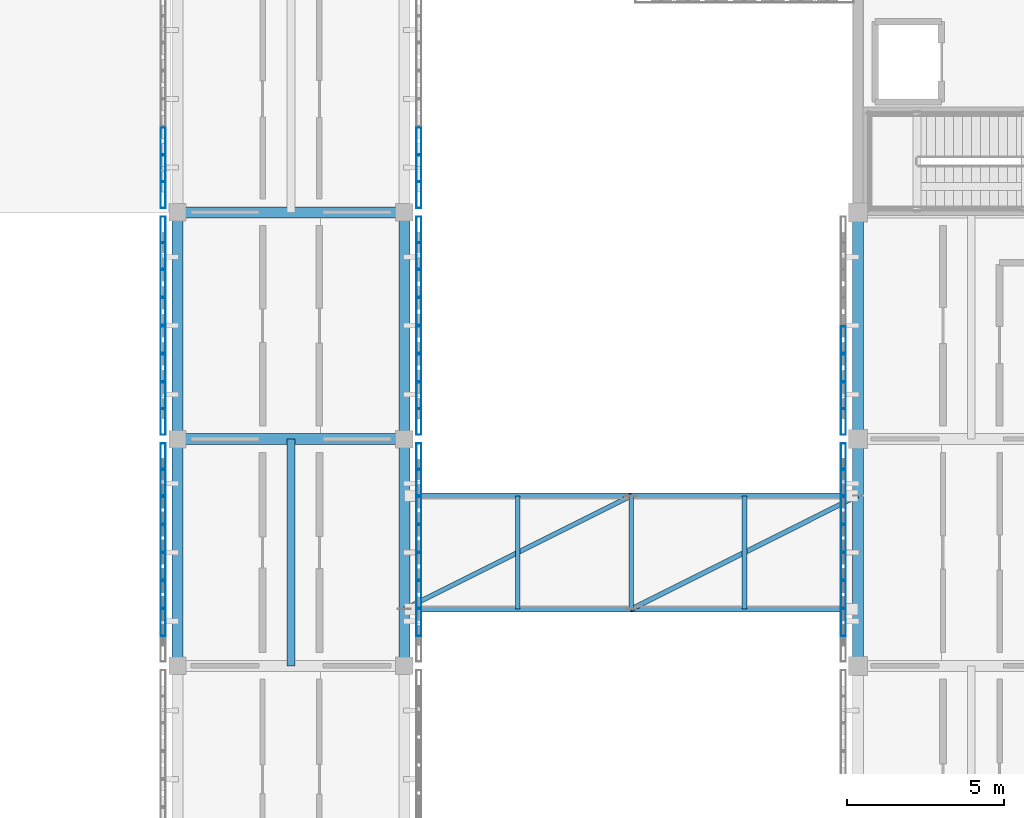
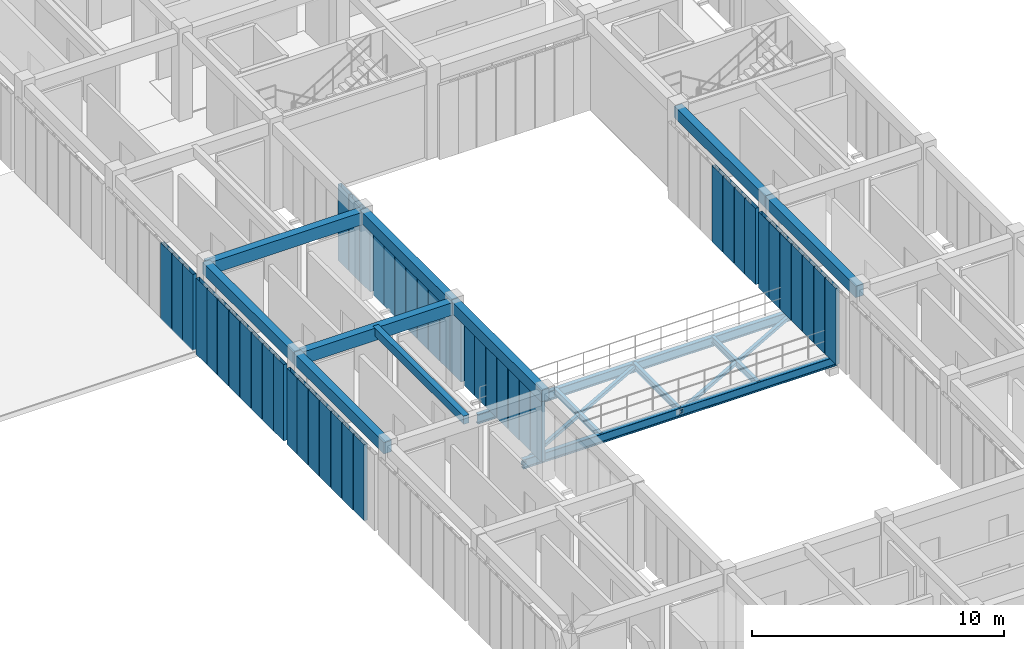
# One storey, part 13 of 91: 49 members, 16 beams, 8 elements without a shape of their own.
"""IFC4 building model written with IfcOpenShell, lengths in metres."""

from ifc_helpers import new_model, si_unit, direction, frame, origin, origin_2d, place, context, subcontext, project, spatial, rectangle, hollow_rectangle, i_section, extrude, material, material_profile, profile_set, type_object, element, aggregate, save


model = new_model("IFC4")

# Units and contexts
model_context = context("Model", 3, precision=1e-05, world=origin(), true_north=direction((0.0, 1.0)))
body_context = subcontext(model_context, "Body", "Model", "MODEL_VIEW")
ifc_project = project(units=[si_unit("LENGTHUNIT", "METRE"), si_unit("AREAUNIT", "SQUARE_METRE"), si_unit("VOLUMEUNIT", "CUBIC_METRE"), si_unit("PLANEANGLEUNIT", "RADIAN"), si_unit("MASSUNIT", "GRAM", prefix="KILO")], contexts=[model_context])

# Site, building, storey
site_placement = place(None, origin())
site = spatial("IfcSite", under=ifc_project, at=site_placement, CompositionType="ELEMENT")
building_placement = place(site_placement, origin())
building = spatial("IfcBuilding", under=site, at=building_placement, Name="Aldebral Square Health Centre", CompositionType="ELEMENT")
storey_placement = place(building_placement, frame((0.0, 0.0, 9.0)))
storey = spatial("IfcBuildingStorey", under=building, at=storey_placement, Name="L02", CompositionType="ELEMENT", Elevation=9.0)

# Beams
ifc_material_1 = material(Name="Concrete C40/50", Category="concrete")
ifc_material_profile_1 = material_profile(ifc_material_1, rectangle(XDim=0.35009765625, YDim=0.60009765625, at=origin_2d()), Name="RC 350x600")
ifc_profile_set_1 = profile_set([ifc_material_profile_1], Name="Concrete C40/50")
beam_type_1 = type_object("IfcBeamType", Name="BM-B2", PredefinedType="BEAM", material=ifc_profile_set_1)
for number, where, z_axis, x_axis, name in (
    (1, (136.800048828125, 86.39990234375, 3.93994140625), (1.0, 0.0, 0.0), (0.0, 1.0, 0.0), "L02 X-beam 20-21/G13"),
    (2, (136.800048828125, 93.60009765625, 3.93994140625), (1.0, 0.0, 0.0), (0.0, 1.0, 0.0), "L02 X-beam 20-21/G14"),
):
    element("IfcBeam", number, at=place(storey_placement, frame(where, z_axis=z_axis, x_axis=x_axis)), inside=storey, type_object=beam_type_1, Name=name, PredefinedType="BEAM", context=body_context, shape_type="SweptSolid", body=[
        extrude(rectangle(XDim=0.35009765625, YDim=0.60009765625, at=origin_2d()), origin(), (0.0, 0.0, 1.0), 7.199951171875),
    ])
ifc_material_profile_2 = material_profile(ifc_material_1, rectangle(XDim=0.35009765625, YDim=0.550048828125, at=origin_2d()), Name="RC 350x550")
ifc_profile_set_2 = profile_set([ifc_material_profile_2], Name="Concrete C40/50")
beam_type_2 = type_object("IfcBeamType", Name="BM-B3", PredefinedType="BEAM", material=ifc_profile_set_2)
beam_1_placement = place(storey_placement, frame((136.800048828125, 79.199951171875, 3.965087890625), z_axis=(0.0, 1.0, 0.0), x_axis=(-1.0, 0.0, 0.0)))
element("IfcBeam", 3, at=beam_1_placement, inside=storey, type_object=beam_type_2, Name="L02 Y-beam G20/12-13", PredefinedType="BEAM", context=body_context, shape_type="SweptSolid", body=[
    extrude(rectangle(XDim=0.35009765625, YDim=0.550048828125, at=origin_2d()), origin(), (0.0, 0.0, 1.0), 7.199951171875),
])
beam_2_placement = place(storey_placement, frame((136.800048828125, 86.39990234375, 3.965087890625), z_axis=(0.0, 1.0, 0.0), x_axis=(-1.0, 0.0, 0.0)))
element("IfcBeam", 4, at=beam_2_placement, inside=storey, type_object=beam_type_2, Name="L02 Y-beam G20/13-14", PredefinedType="BEAM", context=body_context, shape_type="SweptSolid", body=[
    extrude(rectangle(XDim=0.35009765625, YDim=0.550048828125, at=origin_2d()), origin(), (0.0, 0.0, 1.0), 7.2001953125),
])
beam_3_placement = place(storey_placement, frame((144.0, 79.199951171875, 3.965087890625), z_axis=(0.0, 1.0, 0.0), x_axis=(-1.0, 0.0, 0.0)))
element("IfcBeam", 5, at=beam_3_placement, inside=storey, type_object=beam_type_2, Name="L02 Y-beam G21/12-13", PredefinedType="BEAM", context=body_context, shape_type="SweptSolid", body=[
    extrude(rectangle(XDim=0.35009765625, YDim=0.550048828125, at=origin_2d()), origin(), (0.0, 0.0, 1.0), 7.199951171875),
])
beam_4_placement = place(storey_placement, frame((144.0, 86.39990234375, 3.965087890625), z_axis=(0.0, 1.0, 0.0), x_axis=(-1.0, 0.0, 0.0)))
element("IfcBeam", 6, at=beam_4_placement, inside=storey, type_object=beam_type_2, Name="L02 Y-beam G21/13-14", PredefinedType="BEAM", context=body_context, shape_type="SweptSolid", body=[
    extrude(rectangle(XDim=0.35009765625, YDim=0.550048828125, at=origin_2d()), origin(), (0.0, 0.0, 1.0), 7.2001953125),
])
beam_5_placement = place(storey_placement, frame((158.39990234375, 79.199951171875, 3.965087890625), z_axis=(0.0, 1.0, 0.0), x_axis=(-1.0, 0.0, 0.0)))
element("IfcBeam", 7, at=beam_5_placement, inside=storey, type_object=beam_type_2, Name="L02 Y-beam G23/12-13", PredefinedType="BEAM", context=body_context, shape_type="SweptSolid", body=[
    extrude(rectangle(XDim=0.35009765625, YDim=0.550048828125, at=origin_2d()), origin(), (0.0, 0.0, 1.0), 7.199951171875),
])
beam_6_placement = place(storey_placement, frame((158.39990234375, 86.39990234375, 3.965087890625), z_axis=(0.0, 1.0, 0.0), x_axis=(-1.0, 0.0, 0.0)))
element("IfcBeam", 8, at=beam_6_placement, inside=storey, type_object=beam_type_2, Name="L02 Y-beam G23/13-14", PredefinedType="BEAM", context=body_context, shape_type="SweptSolid", body=[
    extrude(rectangle(XDim=0.35009765625, YDim=0.550048828125, at=origin_2d()), origin(), (0.0, 0.0, 1.0), 7.2001953125),
])
ifc_material_profile_3 = material_profile(ifc_material_1, rectangle(XDim=0.25, YDim=0.39990234375, at=origin_2d()), Name="RC 250x400")
ifc_profile_set_3 = profile_set([ifc_material_profile_3], Name="Concrete C40/50")
beam_type_3 = type_object("IfcBeamType", Name="BM-B6", PredefinedType="JOIST", material=ifc_profile_set_3)
beam_7_placement = place(storey_placement, frame((140.39990234375, 79.199951171875, 4.0400390625), z_axis=(0.0, 1.0, 0.0), x_axis=(-1.0, 0.0, 0.0)))
element("IfcBeam", 9, at=beam_7_placement, inside=storey, type_object=beam_type_3, Name="L02 secondary rib 20.12", PredefinedType="JOIST", context=body_context, shape_type="SweptSolid", body=[
    extrude(rectangle(XDim=0.25, YDim=0.39990234375, at=origin_2d()), origin(), (0.0, 0.0, 1.0), 7.199951171875),
])
ifc_material_2 = material(Name="Steel S355JR", Category="steel")
ifc_material_profile_4 = material_profile(ifc_material_2, i_section(OverallWidth=0.18994140625, OverallDepth=0.449951171875, WebThickness=0.009521484375, FlangeThickness=0.0146484375, FilletRadius=0.02099609375, at=origin_2d()), Name="IPE 450")
ifc_profile_set_4 = profile_set([ifc_material_profile_4], Name="Steel S355JR")
beam_type_4 = type_object("IfcBeamType", Name="BM-ST1", PredefinedType="T_BEAM", material=ifc_profile_set_4)
for number, where, z_axis, x_axis, name in (
    (10, (144.0, 81.0, -0.445068359375), (1.0, 0.0, 0.0), (0.0, 1.0, 0.0), "East Light Court Bridge L02 edge girder 1.1"),
    (11, (151.199951171875, 81.0, -0.445068359375), (1.0, 0.0, 0.0), (0.0, 1.0, 0.0), "East Light Court Bridge L02 edge girder 1.2"),
    (12, (144.0, 84.60009765625, -0.445068359375), (1.0, 0.0, 0.0), (0.0, 1.0, 0.0), "East Light Court Bridge L02 edge girder 2.1"),
    (13, (151.199951171875, 84.60009765625, -0.445068359375), (1.0, 0.0, 0.0), (0.0, 1.0, 0.0), "East Light Court Bridge L02 edge girder 2.2"),
):
    element("IfcBeam", number, at=place(storey_placement, frame(where, z_axis=z_axis, x_axis=x_axis)), inside=storey, type_object=beam_type_4, Name=name, PredefinedType="T_BEAM", context=body_context, shape_type="SweptSolid", body=[
        extrude(i_section(OverallWidth=0.18994140625, OverallDepth=0.449951171875, WebThickness=0.009521484375, FlangeThickness=0.0146484375, FilletRadius=0.02099609375, at=origin_2d()), origin(), (0.0, 0.0, 1.0), 7.199951171875),
    ])
ifc_material_profile_5 = material_profile(ifc_material_2, i_section(OverallWidth=0.14990234375, OverallDepth=0.300048828125, WebThickness=0.007080078125, FlangeThickness=0.0107421875, FilletRadius=0.014892578125, at=origin_2d()), Name="IPE 300")
ifc_profile_set_5 = profile_set([ifc_material_profile_5], Name="Steel S355JR")
beam_type_5 = type_object("IfcBeamType", Name="BM-ST4", PredefinedType="BEAM", material=ifc_profile_set_5)
for number, where, z_axis, x_axis, name in (
    (14, (147.60009765625, 81.0, -0.3701171875), (0.0, 1.0, 0.0), (-1.0, 0.0, 0.0), "East Light Court Bridge L02 cross beam 2"),
    (15, (151.199951171875, 81.0, -0.3701171875), (0.0, 1.0, 0.0), (-1.0, 0.0, 0.0), "East Light Court Bridge L02 cross beam 3"),
    (16, (154.800048828125, 81.0, -0.3701171875), (0.0, 1.0, 0.0), (-1.0, 0.0, 0.0), "East Light Court Bridge L02 cross beam 4"),
):
    element("IfcBeam", number, at=place(storey_placement, frame(where, z_axis=z_axis, x_axis=x_axis)), inside=storey, type_object=beam_type_5, Name=name, PredefinedType="BEAM", context=body_context, shape_type="SweptSolid", body=[
        extrude(i_section(OverallWidth=0.14990234375, OverallDepth=0.300048828125, WebThickness=0.007080078125, FlangeThickness=0.0107421875, FilletRadius=0.014892578125, at=origin_2d()), origin(), (0.0, 0.0, 1.0), 3.60009765625),
    ])

# Curtain wall, members
ifc_material_3 = material(Name="Aluminium and low-E solar glass", Category="aluminium")
curtain_wall_type = type_object("IfcCurtainWallType", Name="CW-FIN-SYS", PredefinedType="USERDEFINED", material=ifc_material_3)
curtain_wall_1_placement = place(storey_placement, origin())
curtain_wall_1 = element("IfcCurtainWall", 17, at=curtain_wall_1_placement, inside=storey, type_object=curtain_wall_type, Name="L02 V5 finned curtain wall L02-V5-19-11-W", ObjectType="SOLAR_CURTAIN_WALL", PredefinedType="USERDEFINED")
ifc_material_4 = material(Name="Sienna-terracotta clad aluminium fin", Category="masonry")
ifc_material_profile_6 = material_profile(ifc_material_4, hollow_rectangle(XDim=0.159912109375, YDim=0.85009765625, WallThickness=0.006103515625, at=origin_2d()), Name="FIN 160x850x6")
ifc_profile_set_6 = profile_set([ifc_material_profile_6], Name="Sienna-terracotta clad aluminium fin")
member_type_1 = type_object("IfcMemberType", Name="CWM-FIN", PredefinedType="MULLION", material=ifc_profile_set_6)
member_1_placement = place(storey_placement, frame((136.340087890625, 85.840087890625, 0.0), z_axis=(0.0, 0.0, 1.0), x_axis=(1.0, 0.0, 0.0)))
member_1 = element("IfcMember", 18, at=member_1_placement, type_object=member_type_1, Name="CW1 mullion 1", PredefinedType="MULLION", context=body_context, shape_type="SweptSolid", body=[
    extrude(hollow_rectangle(XDim=0.159912109375, YDim=0.85009765625, WallThickness=0.006103515625, at=origin_2d()), origin(), (0.0, 0.0, 1.0), 3.68994140625),
])
member_2_placement = place(storey_placement, frame((136.340087890625, 85.028564453125, 0.0), z_axis=(0.0, 0.0, 1.0), x_axis=(1.0, 0.0, 0.0)))
member_2 = element("IfcMember", 19, at=member_2_placement, type_object=member_type_1, Name="CW1 mullion 2", PredefinedType="MULLION", context=body_context, shape_type="SweptSolid", body=[
    extrude(hollow_rectangle(XDim=0.159912109375, YDim=0.85009765625, WallThickness=0.006103515625, at=origin_2d()), origin(), (0.0, 0.0, 1.0), 3.68994140625),
])
member_3_placement = place(storey_placement, frame((136.340087890625, 84.13720703125, 0.0), z_axis=(0.0, 0.0, 1.0), x_axis=(1.0, 0.0, 0.0)))
member_3 = element("IfcMember", 20, at=member_3_placement, type_object=member_type_1, Name="CW1 mullion 3", PredefinedType="MULLION", context=body_context, shape_type="SweptSolid", body=[
    extrude(hollow_rectangle(XDim=0.159912109375, YDim=0.85009765625, WallThickness=0.006103515625, at=origin_2d()), origin(), (0.0, 0.0, 1.0), 3.68994140625),
])
member_4_placement = place(storey_placement, frame((136.340087890625, 83.24560546875, 0.0), z_axis=(0.0, 0.0, 1.0), x_axis=(1.0, 0.0, 0.0)))
member_4 = element("IfcMember", 21, at=member_4_placement, type_object=member_type_1, Name="CW1 mullion 4", PredefinedType="MULLION", context=body_context, shape_type="SweptSolid", body=[
    extrude(hollow_rectangle(XDim=0.159912109375, YDim=0.85009765625, WallThickness=0.006103515625, at=origin_2d()), origin(), (0.0, 0.0, 1.0), 3.68994140625),
])
member_5_placement = place(storey_placement, frame((136.340087890625, 82.354248046875, 0.0), z_axis=(0.0, 0.0, 1.0), x_axis=(1.0, 0.0, 0.0)))
member_5 = element("IfcMember", 22, at=member_5_placement, type_object=member_type_1, Name="CW1 mullion 5", PredefinedType="MULLION", context=body_context, shape_type="SweptSolid", body=[
    extrude(hollow_rectangle(XDim=0.159912109375, YDim=0.85009765625, WallThickness=0.006103515625, at=origin_2d()), origin(), (0.0, 0.0, 1.0), 3.68994140625),
])
member_6_placement = place(storey_placement, frame((136.340087890625, 81.462890625, 0.0), z_axis=(0.0, 0.0, 1.0), x_axis=(1.0, 0.0, 0.0)))
member_6 = element("IfcMember", 23, at=member_6_placement, type_object=member_type_1, Name="CW1 mullion 6", PredefinedType="MULLION", context=body_context, shape_type="SweptSolid", body=[
    extrude(hollow_rectangle(XDim=0.159912109375, YDim=0.85009765625, WallThickness=0.006103515625, at=origin_2d()), origin(), (0.0, 0.0, 1.0), 3.68994140625),
])
member_7_placement = place(storey_placement, frame((136.340087890625, 80.571533203125, 0.0), z_axis=(0.0, 0.0, 1.0), x_axis=(1.0, 0.0, 0.0)))
member_7 = element("IfcMember", 24, at=member_7_placement, type_object=member_type_1, Name="CW1 mullion 7", PredefinedType="MULLION", context=body_context, shape_type="SweptSolid", body=[
    extrude(hollow_rectangle(XDim=0.159912109375, YDim=0.85009765625, WallThickness=0.006103515625, at=origin_2d()), origin(), (0.0, 0.0, 1.0), 3.68994140625),
])
aggregate(curtain_wall_1, [member_1, member_2, member_3, member_4, member_5, member_6, member_7])

curtain_wall_2_placement = place(storey_placement, origin())
curtain_wall_2 = element("IfcCurtainWall", 25, at=curtain_wall_2_placement, inside=storey, type_object=curtain_wall_type, Name="L02 V5 finned curtain wall L02-V5-19-11-E", ObjectType="SOLAR_CURTAIN_WALL", PredefinedType="USERDEFINED")
member_8_placement = place(storey_placement, frame((144.4599609375, 80.571533203125, 0.0), z_axis=(0.0, 0.0, 1.0), x_axis=(-1.0, 0.0, 0.0)))
member_8 = element("IfcMember", 26, at=member_8_placement, type_object=member_type_1, Name="CW1 mullion 2", PredefinedType="MULLION", context=body_context, shape_type="SweptSolid", body=[
    extrude(hollow_rectangle(XDim=0.159912109375, YDim=0.85009765625, WallThickness=0.006103515625, at=origin_2d()), origin(), (0.0, 0.0, 1.0), 3.68994140625),
])
member_9_placement = place(storey_placement, frame((144.4599609375, 81.462890625, 0.0), z_axis=(0.0, 0.0, 1.0), x_axis=(-1.0, 0.0, 0.0)))
member_9 = element("IfcMember", 27, at=member_9_placement, type_object=member_type_1, Name="CW1 mullion 3", PredefinedType="MULLION", context=body_context, shape_type="SweptSolid", body=[
    extrude(hollow_rectangle(XDim=0.159912109375, YDim=0.85009765625, WallThickness=0.006103515625, at=origin_2d()), origin(), (0.0, 0.0, 1.0), 3.68994140625),
])
member_10_placement = place(storey_placement, frame((144.4599609375, 82.354248046875, 0.0), z_axis=(0.0, 0.0, 1.0), x_axis=(-1.0, 0.0, 0.0)))
member_10 = element("IfcMember", 28, at=member_10_placement, type_object=member_type_1, Name="CW1 mullion 4", PredefinedType="MULLION", context=body_context, shape_type="SweptSolid", body=[
    extrude(hollow_rectangle(XDim=0.159912109375, YDim=0.85009765625, WallThickness=0.006103515625, at=origin_2d()), origin(), (0.0, 0.0, 1.0), 3.68994140625),
])
member_11_placement = place(storey_placement, frame((144.4599609375, 83.24560546875, 0.0), z_axis=(0.0, 0.0, 1.0), x_axis=(-1.0, 0.0, 0.0)))
member_11 = element("IfcMember", 29, at=member_11_placement, type_object=member_type_1, Name="CW1 mullion 5", PredefinedType="MULLION", context=body_context, shape_type="SweptSolid", body=[
    extrude(hollow_rectangle(XDim=0.159912109375, YDim=0.85009765625, WallThickness=0.006103515625, at=origin_2d()), origin(), (0.0, 0.0, 1.0), 3.68994140625),
])
member_12_placement = place(storey_placement, frame((144.4599609375, 84.13720703125, 0.0), z_axis=(0.0, 0.0, 1.0), x_axis=(-1.0, 0.0, 0.0)))
member_12 = element("IfcMember", 30, at=member_12_placement, type_object=member_type_1, Name="CW1 mullion 6", PredefinedType="MULLION", context=body_context, shape_type="SweptSolid", body=[
    extrude(hollow_rectangle(XDim=0.159912109375, YDim=0.85009765625, WallThickness=0.006103515625, at=origin_2d()), origin(), (0.0, 0.0, 1.0), 3.68994140625),
])
member_13_placement = place(storey_placement, frame((144.4599609375, 85.028564453125, 0.0), z_axis=(0.0, 0.0, 1.0), x_axis=(-1.0, 0.0, 0.0)))
member_13 = element("IfcMember", 31, at=member_13_placement, type_object=member_type_1, Name="CW1 mullion 7", PredefinedType="MULLION", context=body_context, shape_type="SweptSolid", body=[
    extrude(hollow_rectangle(XDim=0.159912109375, YDim=0.85009765625, WallThickness=0.006103515625, at=origin_2d()), origin(), (0.0, 0.0, 1.0), 3.68994140625),
])
member_14_placement = place(storey_placement, frame((144.4599609375, 85.840087890625, 0.0), z_axis=(0.0, 0.0, 1.0), x_axis=(-1.0, 0.0, 0.0)))
member_14 = element("IfcMember", 32, at=member_14_placement, type_object=member_type_1, Name="CW1 mullion 8", PredefinedType="MULLION", context=body_context, shape_type="SweptSolid", body=[
    extrude(hollow_rectangle(XDim=0.159912109375, YDim=0.85009765625, WallThickness=0.006103515625, at=origin_2d()), origin(), (0.0, 0.0, 1.0), 3.68994140625),
])
aggregate(curtain_wall_2, [member_8, member_9, member_10, member_11, member_12, member_13, member_14])

curtain_wall_3_placement = place(storey_placement, origin())
curtain_wall_3 = element("IfcCurtainWall", 33, at=curtain_wall_3_placement, inside=storey, type_object=curtain_wall_type, Name="L02 V5 finned curtain wall L02-V5-19-12-W", ObjectType="SOLAR_CURTAIN_WALL", PredefinedType="USERDEFINED")
member_15_placement = place(storey_placement, frame((136.340087890625, 93.0400390625, 0.0), z_axis=(0.0, 0.0, 1.0), x_axis=(1.0, 0.0, 0.0)))
member_15 = element("IfcMember", 34, at=member_15_placement, type_object=member_type_1, Name="CW1 mullion 1", PredefinedType="MULLION", context=body_context, shape_type="SweptSolid", body=[
    extrude(hollow_rectangle(XDim=0.159912109375, YDim=0.85009765625, WallThickness=0.006103515625, at=origin_2d()), origin(), (0.0, 0.0, 1.0), 3.68994140625),
])
member_16_placement = place(storey_placement, frame((136.340087890625, 92.228515625, 0.0), z_axis=(0.0, 0.0, 1.0), x_axis=(1.0, 0.0, 0.0)))
member_16 = element("IfcMember", 35, at=member_16_placement, type_object=member_type_1, Name="CW1 mullion 2", PredefinedType="MULLION", context=body_context, shape_type="SweptSolid", body=[
    extrude(hollow_rectangle(XDim=0.159912109375, YDim=0.85009765625, WallThickness=0.006103515625, at=origin_2d()), origin(), (0.0, 0.0, 1.0), 3.68994140625),
])
member_17_placement = place(storey_placement, frame((136.340087890625, 91.337158203125, 0.0), z_axis=(0.0, 0.0, 1.0), x_axis=(1.0, 0.0, 0.0)))
member_17 = element("IfcMember", 36, at=member_17_placement, type_object=member_type_1, Name="CW1 mullion 3", PredefinedType="MULLION", context=body_context, shape_type="SweptSolid", body=[
    extrude(hollow_rectangle(XDim=0.159912109375, YDim=0.85009765625, WallThickness=0.006103515625, at=origin_2d()), origin(), (0.0, 0.0, 1.0), 3.68994140625),
])
member_18_placement = place(storey_placement, frame((136.340087890625, 90.44580078125, 0.0), z_axis=(0.0, 0.0, 1.0), x_axis=(1.0, 0.0, 0.0)))
member_18 = element("IfcMember", 37, at=member_18_placement, type_object=member_type_1, Name="CW1 mullion 4", PredefinedType="MULLION", context=body_context, shape_type="SweptSolid", body=[
    extrude(hollow_rectangle(XDim=0.159912109375, YDim=0.85009765625, WallThickness=0.006103515625, at=origin_2d()), origin(), (0.0, 0.0, 1.0), 3.68994140625),
])
member_19_placement = place(storey_placement, frame((136.340087890625, 89.55419921875, 0.0), z_axis=(0.0, 0.0, 1.0), x_axis=(1.0, 0.0, 0.0)))
member_19 = element("IfcMember", 38, at=member_19_placement, type_object=member_type_1, Name="CW1 mullion 5", PredefinedType="MULLION", context=body_context, shape_type="SweptSolid", body=[
    extrude(hollow_rectangle(XDim=0.159912109375, YDim=0.85009765625, WallThickness=0.006103515625, at=origin_2d()), origin(), (0.0, 0.0, 1.0), 3.68994140625),
])
member_20_placement = place(storey_placement, frame((136.340087890625, 88.662841796875, 0.0), z_axis=(0.0, 0.0, 1.0), x_axis=(1.0, 0.0, 0.0)))
member_20 = element("IfcMember", 39, at=member_20_placement, type_object=member_type_1, Name="CW1 mullion 6", PredefinedType="MULLION", context=body_context, shape_type="SweptSolid", body=[
    extrude(hollow_rectangle(XDim=0.159912109375, YDim=0.85009765625, WallThickness=0.006103515625, at=origin_2d()), origin(), (0.0, 0.0, 1.0), 3.68994140625),
])
member_21_placement = place(storey_placement, frame((136.340087890625, 87.771484375, 0.0), z_axis=(0.0, 0.0, 1.0), x_axis=(1.0, 0.0, 0.0)))
member_21 = element("IfcMember", 40, at=member_21_placement, type_object=member_type_1, Name="CW1 mullion 7", PredefinedType="MULLION", context=body_context, shape_type="SweptSolid", body=[
    extrude(hollow_rectangle(XDim=0.159912109375, YDim=0.85009765625, WallThickness=0.006103515625, at=origin_2d()), origin(), (0.0, 0.0, 1.0), 3.68994140625),
])
member_22_placement = place(storey_placement, frame((136.340087890625, 86.9599609375, 0.0), z_axis=(0.0, 0.0, 1.0), x_axis=(1.0, 0.0, 0.0)))
member_22 = element("IfcMember", 41, at=member_22_placement, type_object=member_type_1, Name="CW1 mullion 8", PredefinedType="MULLION", context=body_context, shape_type="SweptSolid", body=[
    extrude(hollow_rectangle(XDim=0.159912109375, YDim=0.85009765625, WallThickness=0.006103515625, at=origin_2d()), origin(), (0.0, 0.0, 1.0), 3.68994140625),
])
aggregate(curtain_wall_3, [member_15, member_16, member_17, member_18, member_19, member_20, member_21, member_22])

curtain_wall_4_placement = place(storey_placement, origin())
curtain_wall_4 = element("IfcCurtainWall", 42, at=curtain_wall_4_placement, inside=storey, type_object=curtain_wall_type, Name="L02 V5 finned curtain wall L02-V5-19-12-E", ObjectType="SOLAR_CURTAIN_WALL", PredefinedType="USERDEFINED")
member_23_placement = place(storey_placement, frame((144.4599609375, 86.9599609375, 0.0), z_axis=(0.0, 0.0, 1.0), x_axis=(-1.0, 0.0, 0.0)))
member_23 = element("IfcMember", 43, at=member_23_placement, type_object=member_type_1, Name="CW1 mullion 1", PredefinedType="MULLION", context=body_context, shape_type="SweptSolid", body=[
    extrude(hollow_rectangle(XDim=0.159912109375, YDim=0.85009765625, WallThickness=0.006103515625, at=origin_2d()), origin(), (0.0, 0.0, 1.0), 3.68994140625),
])
member_24_placement = place(storey_placement, frame((144.4599609375, 87.771484375, 0.0), z_axis=(0.0, 0.0, 1.0), x_axis=(-1.0, 0.0, 0.0)))
member_24 = element("IfcMember", 44, at=member_24_placement, type_object=member_type_1, Name="CW1 mullion 2", PredefinedType="MULLION", context=body_context, shape_type="SweptSolid", body=[
    extrude(hollow_rectangle(XDim=0.159912109375, YDim=0.85009765625, WallThickness=0.006103515625, at=origin_2d()), origin(), (0.0, 0.0, 1.0), 3.68994140625),
])
member_25_placement = place(storey_placement, frame((144.4599609375, 88.662841796875, 0.0), z_axis=(0.0, 0.0, 1.0), x_axis=(-1.0, 0.0, 0.0)))
member_25 = element("IfcMember", 45, at=member_25_placement, type_object=member_type_1, Name="CW1 mullion 3", PredefinedType="MULLION", context=body_context, shape_type="SweptSolid", body=[
    extrude(hollow_rectangle(XDim=0.159912109375, YDim=0.85009765625, WallThickness=0.006103515625, at=origin_2d()), origin(), (0.0, 0.0, 1.0), 3.68994140625),
])
member_26_placement = place(storey_placement, frame((144.4599609375, 89.55419921875, 0.0), z_axis=(0.0, 0.0, 1.0), x_axis=(-1.0, 0.0, 0.0)))
member_26 = element("IfcMember", 46, at=member_26_placement, type_object=member_type_1, Name="CW1 mullion 4", PredefinedType="MULLION", context=body_context, shape_type="SweptSolid", body=[
    extrude(hollow_rectangle(XDim=0.159912109375, YDim=0.85009765625, WallThickness=0.006103515625, at=origin_2d()), origin(), (0.0, 0.0, 1.0), 3.68994140625),
])
member_27_placement = place(storey_placement, frame((144.4599609375, 90.44580078125, 0.0), z_axis=(0.0, 0.0, 1.0), x_axis=(-1.0, 0.0, 0.0)))
member_27 = element("IfcMember", 47, at=member_27_placement, type_object=member_type_1, Name="CW1 mullion 5", PredefinedType="MULLION", context=body_context, shape_type="SweptSolid", body=[
    extrude(hollow_rectangle(XDim=0.159912109375, YDim=0.85009765625, WallThickness=0.006103515625, at=origin_2d()), origin(), (0.0, 0.0, 1.0), 3.68994140625),
])
member_28_placement = place(storey_placement, frame((144.4599609375, 91.337158203125, 0.0), z_axis=(0.0, 0.0, 1.0), x_axis=(-1.0, 0.0, 0.0)))
member_28 = element("IfcMember", 48, at=member_28_placement, type_object=member_type_1, Name="CW1 mullion 6", PredefinedType="MULLION", context=body_context, shape_type="SweptSolid", body=[
    extrude(hollow_rectangle(XDim=0.159912109375, YDim=0.85009765625, WallThickness=0.006103515625, at=origin_2d()), origin(), (0.0, 0.0, 1.0), 3.68994140625),
])
member_29_placement = place(storey_placement, frame((144.4599609375, 92.228515625, 0.0), z_axis=(0.0, 0.0, 1.0), x_axis=(-1.0, 0.0, 0.0)))
member_29 = element("IfcMember", 49, at=member_29_placement, type_object=member_type_1, Name="CW1 mullion 7", PredefinedType="MULLION", context=body_context, shape_type="SweptSolid", body=[
    extrude(hollow_rectangle(XDim=0.159912109375, YDim=0.85009765625, WallThickness=0.006103515625, at=origin_2d()), origin(), (0.0, 0.0, 1.0), 3.68994140625),
])
member_30_placement = place(storey_placement, frame((144.4599609375, 93.0400390625, 0.0), z_axis=(0.0, 0.0, 1.0), x_axis=(-1.0, 0.0, 0.0)))
member_30 = element("IfcMember", 50, at=member_30_placement, type_object=member_type_1, Name="CW1 mullion 8", PredefinedType="MULLION", context=body_context, shape_type="SweptSolid", body=[
    extrude(hollow_rectangle(XDim=0.159912109375, YDim=0.85009765625, WallThickness=0.006103515625, at=origin_2d()), origin(), (0.0, 0.0, 1.0), 3.68994140625),
])
aggregate(curtain_wall_4, [member_23, member_24, member_25, member_26, member_27, member_28, member_29, member_30])

curtain_wall_5_placement = place(storey_placement, origin())
curtain_wall_5 = element("IfcCurtainWall", 51, at=curtain_wall_5_placement, inside=storey, type_object=curtain_wall_type, Name="L02 V5 finned curtain wall L02-V5-19-13-W", ObjectType="SOLAR_CURTAIN_WALL", PredefinedType="USERDEFINED")
member_31_placement = place(storey_placement, frame((136.340087890625, 95.86279296875, 0.0), z_axis=(0.0, 0.0, 1.0), x_axis=(1.0, 0.0, 0.0)))
member_31 = element("IfcMember", 52, at=member_31_placement, type_object=member_type_1, Name="CW1 mullion 6", PredefinedType="MULLION", context=body_context, shape_type="SweptSolid", body=[
    extrude(hollow_rectangle(XDim=0.159912109375, YDim=0.85009765625, WallThickness=0.006103515625, at=origin_2d()), origin(), (0.0, 0.0, 1.0), 3.68994140625),
])
member_32_placement = place(storey_placement, frame((136.340087890625, 94.971435546875, 0.0), z_axis=(0.0, 0.0, 1.0), x_axis=(1.0, 0.0, 0.0)))
member_32 = element("IfcMember", 53, at=member_32_placement, type_object=member_type_1, Name="CW1 mullion 7", PredefinedType="MULLION", context=body_context, shape_type="SweptSolid", body=[
    extrude(hollow_rectangle(XDim=0.159912109375, YDim=0.85009765625, WallThickness=0.006103515625, at=origin_2d()), origin(), (0.0, 0.0, 1.0), 3.68994140625),
])
member_33_placement = place(storey_placement, frame((136.340087890625, 94.159912109375, 0.0), z_axis=(0.0, 0.0, 1.0), x_axis=(1.0, 0.0, 0.0)))
member_33 = element("IfcMember", 54, at=member_33_placement, type_object=member_type_1, Name="CW1 mullion 8", PredefinedType="MULLION", context=body_context, shape_type="SweptSolid", body=[
    extrude(hollow_rectangle(XDim=0.159912109375, YDim=0.85009765625, WallThickness=0.006103515625, at=origin_2d()), origin(), (0.0, 0.0, 1.0), 3.68994140625),
])
aggregate(curtain_wall_5, [member_31, member_32, member_33])

curtain_wall_6_placement = place(storey_placement, origin())
curtain_wall_6 = element("IfcCurtainWall", 55, at=curtain_wall_6_placement, inside=storey, type_object=curtain_wall_type, Name="L02 V5 finned curtain wall L02-V5-19-13-E", ObjectType="SOLAR_CURTAIN_WALL", PredefinedType="USERDEFINED")
member_34_placement = place(storey_placement, frame((144.4599609375, 94.159912109375, 0.0), z_axis=(0.0, 0.0, 1.0), x_axis=(-1.0, 0.0, 0.0)))
member_34 = element("IfcMember", 56, at=member_34_placement, type_object=member_type_1, Name="CW1 mullion 1", PredefinedType="MULLION", context=body_context, shape_type="SweptSolid", body=[
    extrude(hollow_rectangle(XDim=0.159912109375, YDim=0.85009765625, WallThickness=0.006103515625, at=origin_2d()), origin(), (0.0, 0.0, 1.0), 3.68994140625),
])
member_35_placement = place(storey_placement, frame((144.4599609375, 94.971435546875, 0.0), z_axis=(0.0, 0.0, 1.0), x_axis=(-1.0, 0.0, 0.0)))
member_35 = element("IfcMember", 57, at=member_35_placement, type_object=member_type_1, Name="CW1 mullion 2", PredefinedType="MULLION", context=body_context, shape_type="SweptSolid", body=[
    extrude(hollow_rectangle(XDim=0.159912109375, YDim=0.85009765625, WallThickness=0.006103515625, at=origin_2d()), origin(), (0.0, 0.0, 1.0), 3.68994140625),
])
member_36_placement = place(storey_placement, frame((144.4599609375, 95.86279296875, 0.0), z_axis=(0.0, 0.0, 1.0), x_axis=(-1.0, 0.0, 0.0)))
member_36 = element("IfcMember", 58, at=member_36_placement, type_object=member_type_1, Name="CW1 mullion 3", PredefinedType="MULLION", context=body_context, shape_type="SweptSolid", body=[
    extrude(hollow_rectangle(XDim=0.159912109375, YDim=0.85009765625, WallThickness=0.006103515625, at=origin_2d()), origin(), (0.0, 0.0, 1.0), 3.68994140625),
])
aggregate(curtain_wall_6, [member_34, member_35, member_36])

curtain_wall_7_placement = place(storey_placement, origin())
curtain_wall_7 = element("IfcCurtainWall", 59, at=curtain_wall_7_placement, inside=storey, type_object=curtain_wall_type, Name="L02 V5 finned curtain wall L02-V5-22-11-W", ObjectType="SOLAR_CURTAIN_WALL", PredefinedType="USERDEFINED")
member_37_placement = place(storey_placement, frame((157.93994140625, 85.840087890625, 0.0), z_axis=(0.0, 0.0, 1.0), x_axis=(1.0, 0.0, 0.0)))
member_37 = element("IfcMember", 60, at=member_37_placement, type_object=member_type_1, Name="CW1 mullion 1", PredefinedType="MULLION", context=body_context, shape_type="SweptSolid", body=[
    extrude(hollow_rectangle(XDim=0.159912109375, YDim=0.85009765625, WallThickness=0.006103515625, at=origin_2d()), origin(), (0.0, 0.0, 1.0), 3.68994140625),
])
member_38_placement = place(storey_placement, frame((157.93994140625, 85.028564453125, 0.0), z_axis=(0.0, 0.0, 1.0), x_axis=(1.0, 0.0, 0.0)))
member_38 = element("IfcMember", 61, at=member_38_placement, type_object=member_type_1, Name="CW1 mullion 2", PredefinedType="MULLION", context=body_context, shape_type="SweptSolid", body=[
    extrude(hollow_rectangle(XDim=0.159912109375, YDim=0.85009765625, WallThickness=0.006103515625, at=origin_2d()), origin(), (0.0, 0.0, 1.0), 3.68994140625),
])
member_39_placement = place(storey_placement, frame((157.93994140625, 84.13720703125, 0.0), z_axis=(0.0, 0.0, 1.0), x_axis=(1.0, 0.0, 0.0)))
member_39 = element("IfcMember", 62, at=member_39_placement, type_object=member_type_1, Name="CW1 mullion 3", PredefinedType="MULLION", context=body_context, shape_type="SweptSolid", body=[
    extrude(hollow_rectangle(XDim=0.159912109375, YDim=0.85009765625, WallThickness=0.006103515625, at=origin_2d()), origin(), (0.0, 0.0, 1.0), 3.68994140625),
])
member_40_placement = place(storey_placement, frame((157.93994140625, 83.24560546875, 0.0), z_axis=(0.0, 0.0, 1.0), x_axis=(1.0, 0.0, 0.0)))
member_40 = element("IfcMember", 63, at=member_40_placement, type_object=member_type_1, Name="CW1 mullion 4", PredefinedType="MULLION", context=body_context, shape_type="SweptSolid", body=[
    extrude(hollow_rectangle(XDim=0.159912109375, YDim=0.85009765625, WallThickness=0.006103515625, at=origin_2d()), origin(), (0.0, 0.0, 1.0), 3.68994140625),
])
member_41_placement = place(storey_placement, frame((157.93994140625, 82.354248046875, 0.0), z_axis=(0.0, 0.0, 1.0), x_axis=(1.0, 0.0, 0.0)))
member_41 = element("IfcMember", 64, at=member_41_placement, type_object=member_type_1, Name="CW1 mullion 5", PredefinedType="MULLION", context=body_context, shape_type="SweptSolid", body=[
    extrude(hollow_rectangle(XDim=0.159912109375, YDim=0.85009765625, WallThickness=0.006103515625, at=origin_2d()), origin(), (0.0, 0.0, 1.0), 3.68994140625),
])
member_42_placement = place(storey_placement, frame((157.93994140625, 81.462890625, 0.0), z_axis=(0.0, 0.0, 1.0), x_axis=(1.0, 0.0, 0.0)))
member_42 = element("IfcMember", 65, at=member_42_placement, type_object=member_type_1, Name="CW1 mullion 6", PredefinedType="MULLION", context=body_context, shape_type="SweptSolid", body=[
    extrude(hollow_rectangle(XDim=0.159912109375, YDim=0.85009765625, WallThickness=0.006103515625, at=origin_2d()), origin(), (0.0, 0.0, 1.0), 3.68994140625),
])
member_43_placement = place(storey_placement, frame((157.93994140625, 80.571533203125, 0.0), z_axis=(0.0, 0.0, 1.0), x_axis=(1.0, 0.0, 0.0)))
member_43 = element("IfcMember", 66, at=member_43_placement, type_object=member_type_1, Name="CW1 mullion 7", PredefinedType="MULLION", context=body_context, shape_type="SweptSolid", body=[
    extrude(hollow_rectangle(XDim=0.159912109375, YDim=0.85009765625, WallThickness=0.006103515625, at=origin_2d()), origin(), (0.0, 0.0, 1.0), 3.68994140625),
])
aggregate(curtain_wall_7, [member_37, member_38, member_39, member_40, member_41, member_42, member_43])

curtain_wall_8_placement = place(storey_placement, origin())
curtain_wall_8 = element("IfcCurtainWall", 67, at=curtain_wall_8_placement, inside=storey, type_object=curtain_wall_type, Name="L02 V5 finned curtain wall L02-V5-22-12-W", ObjectType="SOLAR_CURTAIN_WALL", PredefinedType="USERDEFINED")
member_44_placement = place(storey_placement, frame((157.93994140625, 89.55419921875, 0.0), z_axis=(0.0, 0.0, 1.0), x_axis=(1.0, 0.0, 0.0)))
member_44 = element("IfcMember", 68, at=member_44_placement, type_object=member_type_1, Name="CW1 mullion 5", PredefinedType="MULLION", context=body_context, shape_type="SweptSolid", body=[
    extrude(hollow_rectangle(XDim=0.159912109375, YDim=0.85009765625, WallThickness=0.006103515625, at=origin_2d()), origin(), (0.0, 0.0, 1.0), 3.68994140625),
])
member_45_placement = place(storey_placement, frame((157.93994140625, 88.662841796875, 0.0), z_axis=(0.0, 0.0, 1.0), x_axis=(1.0, 0.0, 0.0)))
member_45 = element("IfcMember", 69, at=member_45_placement, type_object=member_type_1, Name="CW1 mullion 6", PredefinedType="MULLION", context=body_context, shape_type="SweptSolid", body=[
    extrude(hollow_rectangle(XDim=0.159912109375, YDim=0.85009765625, WallThickness=0.006103515625, at=origin_2d()), origin(), (0.0, 0.0, 1.0), 3.68994140625),
])
member_46_placement = place(storey_placement, frame((157.93994140625, 87.771484375, 0.0), z_axis=(0.0, 0.0, 1.0), x_axis=(1.0, 0.0, 0.0)))
member_46 = element("IfcMember", 70, at=member_46_placement, type_object=member_type_1, Name="CW1 mullion 7", PredefinedType="MULLION", context=body_context, shape_type="SweptSolid", body=[
    extrude(hollow_rectangle(XDim=0.159912109375, YDim=0.85009765625, WallThickness=0.006103515625, at=origin_2d()), origin(), (0.0, 0.0, 1.0), 3.68994140625),
])
member_47_placement = place(storey_placement, frame((157.93994140625, 86.9599609375, 0.0), z_axis=(0.0, 0.0, 1.0), x_axis=(1.0, 0.0, 0.0)))
member_47 = element("IfcMember", 71, at=member_47_placement, type_object=member_type_1, Name="CW1 mullion 8", PredefinedType="MULLION", context=body_context, shape_type="SweptSolid", body=[
    extrude(hollow_rectangle(XDim=0.159912109375, YDim=0.85009765625, WallThickness=0.006103515625, at=origin_2d()), origin(), (0.0, 0.0, 1.0), 3.68994140625),
])
aggregate(curtain_wall_8, [member_44, member_45, member_46, member_47])

# Members
ifc_material_profile_7 = material_profile(ifc_material_2, hollow_rectangle(XDim=0.14990234375, YDim=0.14990234375, WallThickness=0.008056640625, at=origin_2d()), Name="150x150x8 SHS")
ifc_profile_set_7 = profile_set([ifc_material_profile_7], Name="Steel S355JR")
member_type_2 = type_object("IfcMemberType", Name="MEM-BR2", PredefinedType="BRACE", material=ifc_profile_set_7)
for number, where, z_axis, x_axis, name in (
    (72, (144.0, 81.0, -0.445068359375), (0.894421125195, 0.447225726904, 0.0), (-0.447225726904, 0.894421125195, 0.0), "East Light Court Bridge L02 plan brace 1"),
    (73, (151.199951171875, 81.0, -0.445068359375), (0.894421125195, 0.447225726904, 0.0), (-0.447225726904, 0.894421125195, 0.0), "East Light Court Bridge L02 plan brace 2"),
):
    element("IfcMember", number, at=place(storey_placement, frame(where, z_axis=z_axis, x_axis=x_axis)), inside=storey, type_object=member_type_2, Name=name, PredefinedType="BRACE", context=body_context, shape_type="SweptSolid", body=[
        extrude(hollow_rectangle(XDim=0.14990234375, YDim=0.14990234375, WallThickness=0.008056640625, at=origin_2d()), origin(), (0.0, 0.0, 1.0), 8.0498046875),
    ])

save(model, "model.ifc")
